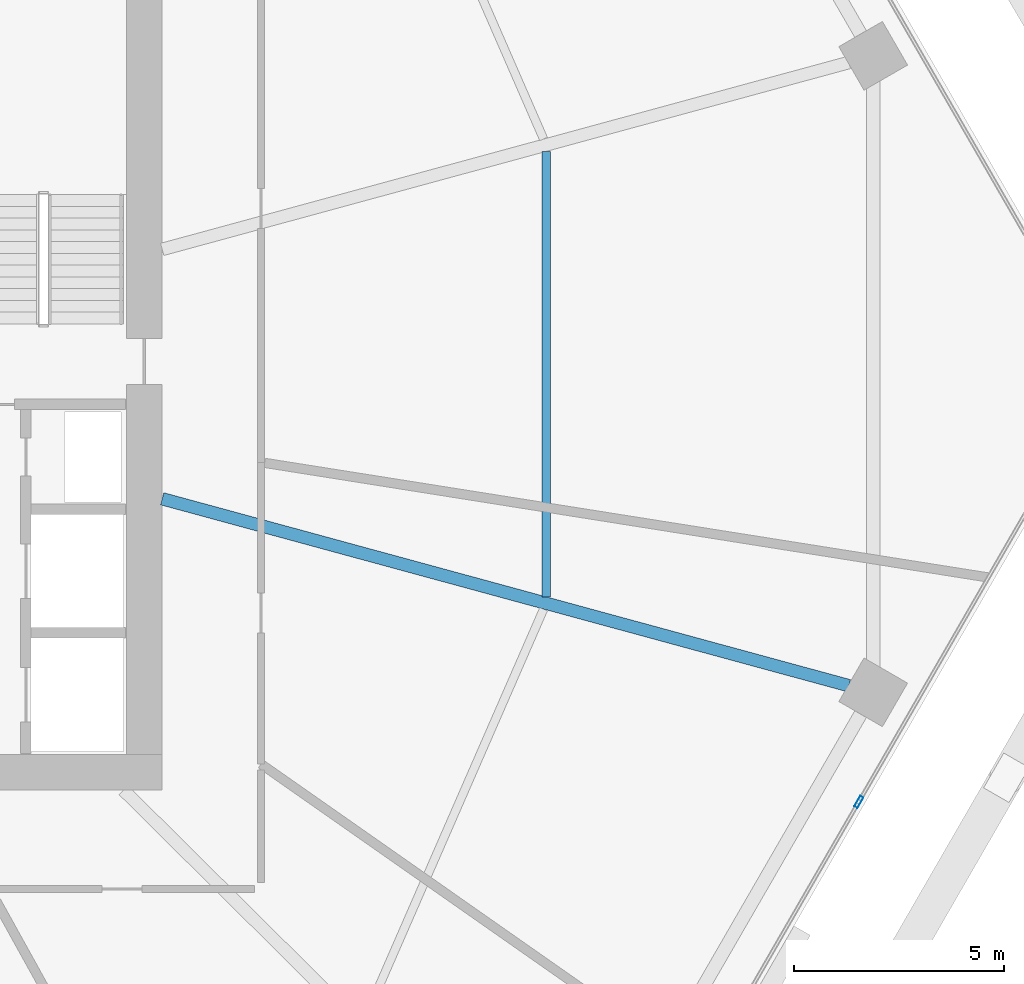
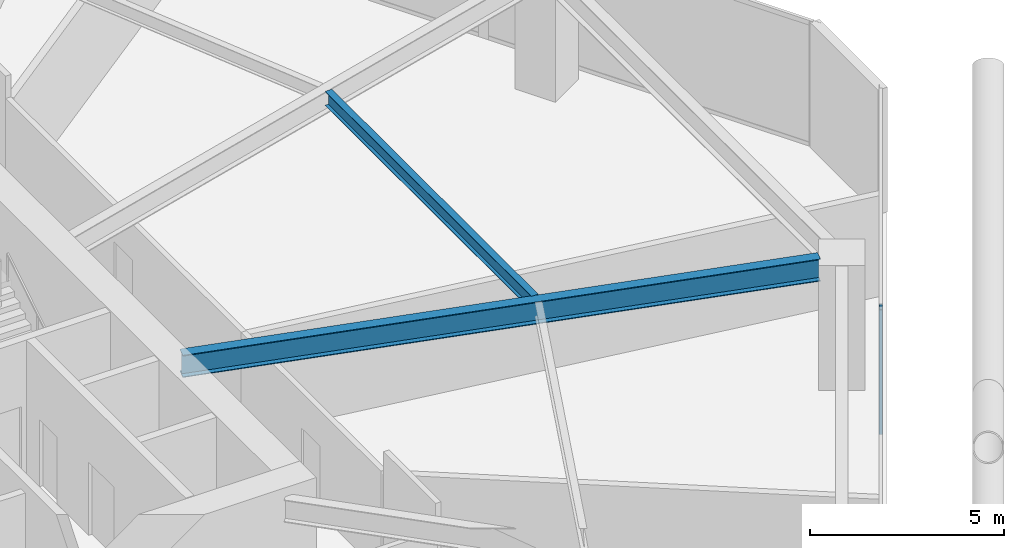
# One storey, part 11 of 30: 2 beams, 1 member, 1 element without a shape of its own.
"""IFC4 building model written with IfcOpenShell, lengths in metres."""

from ifc_helpers import new_model, si_unit, direction, frame, origin, origin_2d, place, context, subcontext, project, spatial, hollow_rectangle, i_section, extrude, material, material_profile, profile_set, type_object, element, aggregate, save


model = new_model("IFC4")

# Units and contexts
model_context = context("Model", 3, precision=1e-05, world=origin(), true_north=direction((0.0, 1.0)))
body_context = subcontext(model_context, "Body", "Model", "MODEL_VIEW")
ifc_project = project(units=[si_unit("LENGTHUNIT", "METRE"), si_unit("AREAUNIT", "SQUARE_METRE"), si_unit("VOLUMEUNIT", "CUBIC_METRE"), si_unit("PLANEANGLEUNIT", "RADIAN"), si_unit("MASSUNIT", "GRAM", prefix="KILO")], contexts=[model_context])

# Site, building, storey
site_placement = place(None, origin())
site = spatial("IfcSite", under=ifc_project, at=site_placement, CompositionType="ELEMENT")
building_placement = place(site_placement, origin())
building = spatial("IfcBuilding", under=site, at=building_placement, Name="Zuhravey Tower", CompositionType="ELEMENT")
storey_placement = place(building_placement, frame((0.0, 0.0, 33.0)))
storey = spatial("IfcBuildingStorey", under=building, at=storey_placement, Name="L08", CompositionType="ELEMENT", Elevation=33.0)

# Curtain wall, member
ifc_material_1 = material(Name="Thermally broken anodised aluminium", Category="aluminium")
curtain_wall_type = type_object("IfcCurtainWallType", Name="School Low-E Unitised Curtain Wall CW1", PredefinedType="NOTDEFINED", material=ifc_material_1)
curtain_wall_placement = place(storey_placement, origin())
curtain_wall = element("IfcCurtainWall", 1, at=curtain_wall_placement, inside=storey, type_object=curtain_wall_type, Name="L08 CW1 CW-L08-F6-1", PredefinedType="NOTDEFINED")
ifc_material_2 = material(Name="Anodised aluminium", Category="aluminium")
ifc_material_profile_1 = material_profile(ifc_material_2, hollow_rectangle(XDim=0.090087890625, YDim=0.284912109375, WallThickness=0.0048828125, at=origin_2d()), Name="ALU-RHS-90x285x5")
ifc_profile_set_1 = profile_set([ifc_material_profile_1], Name="Anodised aluminium")
member_type = type_object("IfcMemberType", Name="Curtain-Wall Mullion 90x180", PredefinedType="MULLION", material=ifc_profile_set_1)
member_placement = place(storey_placement, frame((63.54541015625, 21.79296875, 0.0), z_axis=(0.0, 0.0, 1.0), x_axis=(0.86602552265, -0.499999794119, 0.0)))
member = element("IfcMember", 2, at=member_placement, type_object=member_type, Name="CW1 mullion 2", PredefinedType="MULLION", context=body_context, shape_type="SweptSolid", body=[
    extrude(hollow_rectangle(XDim=0.090087890625, YDim=0.284912109375, WallThickness=0.0048828125, at=origin_2d()), origin(), (0.0, 0.0, 1.0), 3.919921875),
])
aggregate(curtain_wall, [member])

# Beams
ifc_material_3 = material(Name="Steel SM355", Category="steel")
ifc_material_profile_2 = material_profile(ifc_material_3, i_section(OverallWidth=0.300048828125, OverallDepth=0.699951171875, WebThickness=0.012939453125, FlangeThickness=0.02392578125, at=origin_2d()), Name="H-700x300x13x24")
ifc_profile_set_2 = profile_set([ifc_material_profile_2], Name="Steel SM355")
beam_type_1 = type_object("IfcBeamType", Name="Radial Primary Girder H700x300", PredefinedType="BEAM", material=ifc_profile_set_2)
beam_1_placement = place(storey_placement, frame((46.927978515625, 29.025390625, 3.570068359375), z_axis=(0.964892480455, -0.26264520015, 0.0), x_axis=(0.26264520015, 0.964892480455, 0.0)))
element("IfcBeam", 3, at=beam_1_placement, inside=storey, type_object=beam_type_1, Name="L08 RG1 BM-L08-RAD-12", PredefinedType="BEAM", context=body_context, shape_type="SweptSolid", body=[
    extrude(i_section(OverallWidth=0.300048828125, OverallDepth=0.699951171875, WebThickness=0.012939453125, FlangeThickness=0.02392578125, at=origin_2d()), origin(), (0.0, 0.0, 1.0), 16.975341796875),
])
ifc_material_profile_3 = material_profile(ifc_material_3, i_section(OverallWidth=0.199951171875, OverallDepth=0.449951171875, WebThickness=0.009033203125, FlangeThickness=0.013916015625, at=origin_2d()), Name="H-450x200x9x14")
ifc_profile_set_3 = profile_set([ifc_material_profile_3], Name="Steel SM355")
beam_type_2 = type_object("IfcBeamType", Name="Secondary Floor Joist H450x200", PredefinedType="JOIST", material=ifc_profile_set_3)
beam_2_placement = place(storey_placement, frame((56.0869140625, 26.686279296875, 3.695068359375), z_axis=(0.0, 1.0, 0.0), x_axis=(-1.0, 0.0, 0.0)))
element("IfcBeam", 4, at=beam_2_placement, inside=storey, type_object=beam_type_2, Name="L08 SJ1 BM-L08-SJ-12-1", PredefinedType="JOIST", context=body_context, shape_type="SweptSolid", body=[
    extrude(i_section(OverallWidth=0.199951171875, OverallDepth=0.449951171875, WebThickness=0.009033203125, FlangeThickness=0.013916015625, at=origin_2d()), origin(), (0.0, 0.0, 1.0), 10.62744140625),
])

save(model, "model.ifc")
